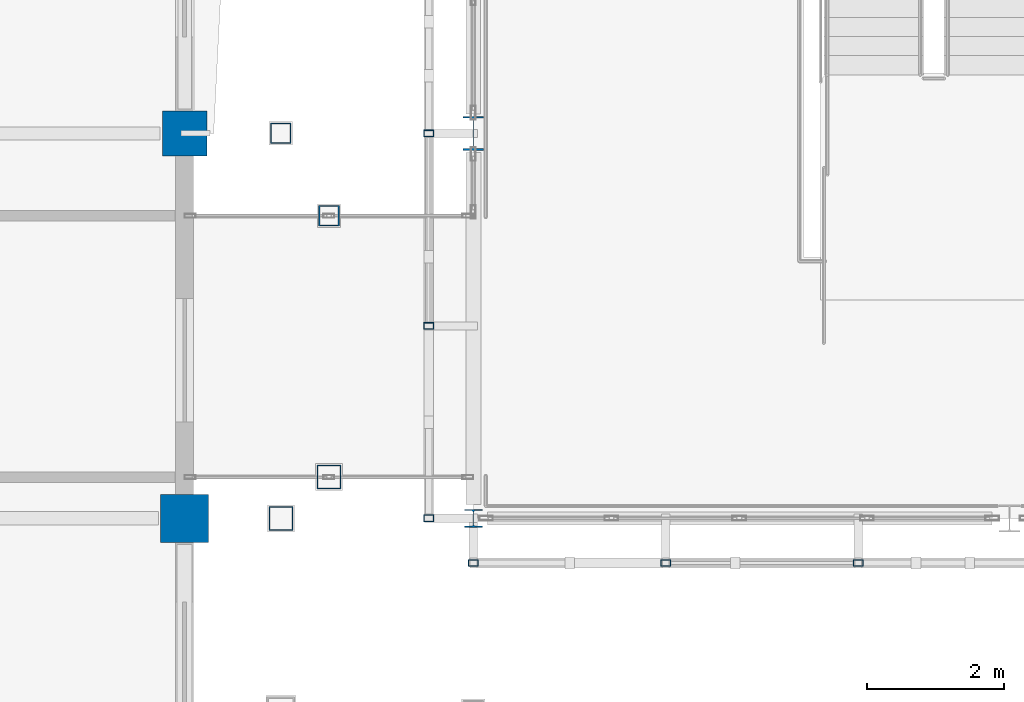
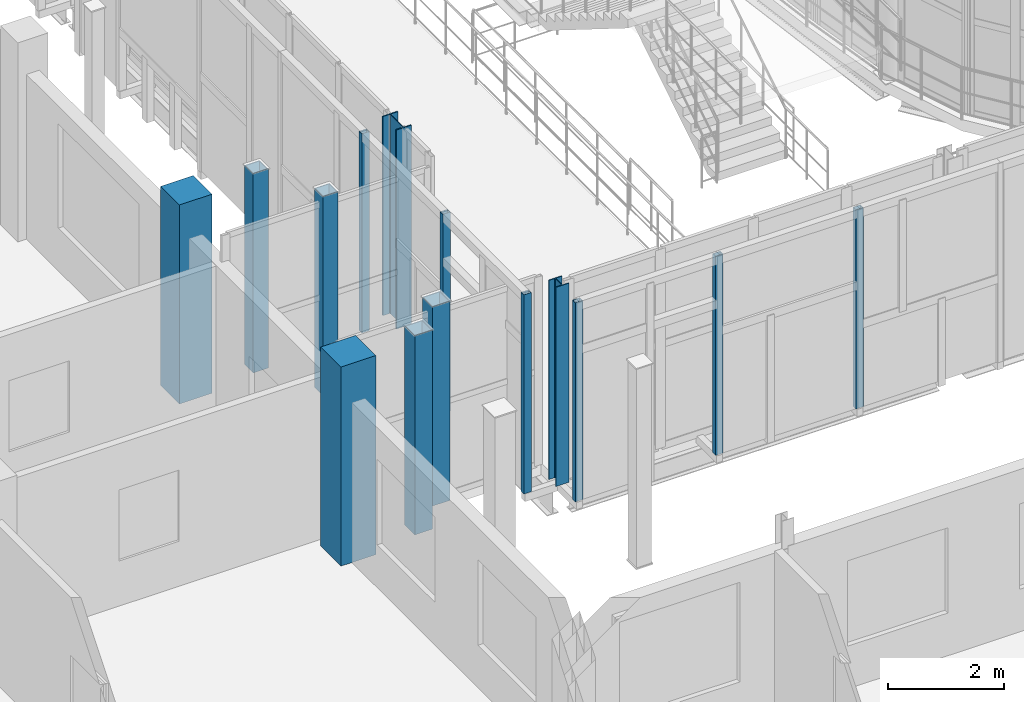
# One storey, part 3 of 121: 14 columns.
"""IFC4 building model written with IfcOpenShell, lengths in metres."""

import ifcopenshell
import ifcopenshell.guid

model = None  # the IFC model being written
_history = None  # IfcOwnerHistory: only IFC2X3 demands one
_inside = {}  # id of a spatial element -> (the spatial element, [elements in it])
_under = {}  # id of a project, library or spatial element -> (it, [spatial elements below it])
_declared = {}  # id of a project -> (the project, [libraries it declares])
_typed = {}  # id of a type object -> (the type object, [elements of that type])
_made_of = {}  # id of a material, layer set ... -> (it, [elements and type objects made of it])


def new_model(schema):
    """Start an empty IFC model of exactly this schema.

    Asked for "IFC4X3", IfcOpenShell would pick the latest addendum, in which some entities
    have other attributes; the version numbers below select the first issue.
    IFC2X3 requires an IfcOwnerHistory on every rooted entity: one is made here for all.
    """
    global model, _history
    if schema == "IFC4X3":
        model = ifcopenshell.file(schema_version=(4, 3, 0, 0))
    else:
        model = ifcopenshell.file(schema=schema)
    _inside.clear()
    _under.clear()
    _declared.clear()
    _typed.clear()
    _made_of.clear()
    _history = None
    if model.schema == "IFC2X3":
        org = make("IfcOrganization", Name="unknown")
        user = make(
            "IfcPersonAndOrganization",
            ThePerson=make("IfcPerson", FamilyName="unknown"),
            TheOrganization=org,
        )
        app = make(
            "IfcApplication",
            ApplicationDeveloper=org,
            Version="unknown",
            ApplicationFullName="unknown",
            ApplicationIdentifier="unknown",
        )
        _history = make(
            "IfcOwnerHistory",
            OwningUser=user,
            OwningApplication=app,
            ChangeAction="ADDED",
            CreationDate=0,
        )
    return model


def make(cls, **values):
    """One entity of the class cls with the attributes given. An attribute that is None is left unset."""
    return model.create_entity(
        cls, **{name: value for name, value in values.items() if value is not None}
    )


def rooted(cls, **values):
    """An entity with a GlobalId (a new one), such as an element, a storey or a relation."""
    return make(cls, GlobalId=ifcopenshell.guid.new(), OwnerHistory=_history, **values)


def si_unit(unit_type, name, prefix=None):
    """IfcSIUnit, for example si_unit("LENGTHUNIT", "METRE", prefix="MILLI")."""
    return make("IfcSIUnit", UnitType=unit_type, Prefix=prefix, Name=name)


def assignment(units):
    """IfcUnitAssignment: the units of a project."""
    return None if units is None else make("IfcUnitAssignment", Units=units)


def point(xyz):
    """IfcCartesianPoint."""
    return None if xyz is None else make("IfcCartesianPoint", Coordinates=xyz)


def direction(xyz):
    """IfcDirection."""
    return None if xyz is None else make("IfcDirection", DirectionRatios=xyz)


def frame(location, z_axis=None, x_axis=None):
    """IfcAxis2Placement3D, a coordinate frame: its origin and axes. An axis left out is left unset."""
    return make(
        "IfcAxis2Placement3D",
        Location=point(location),
        Axis=direction(z_axis),
        RefDirection=direction(x_axis),
    )


def frame_2d(location, x_axis=None):
    """IfcAxis2Placement2D, a coordinate frame in the plane: its origin and x axis."""
    return make(
        "IfcAxis2Placement2D", Location=point(location), RefDirection=direction(x_axis)
    )


def origin():
    """The frame at (0, 0, 0) with its axes left unset."""
    return frame((0.0, 0.0, 0.0))


def origin_2d():
    """The frame at (0, 0) in the plane with its x axis left unset."""
    return frame_2d((0.0, 0.0))


def place(relative_to, where):
    """IfcLocalPlacement: puts the frame where relative to a parent placement (None: the world)."""
    return make(
        "IfcLocalPlacement", PlacementRelTo=relative_to, RelativePlacement=where
    )


def context(
    kind, dimensions, precision=None, world=None, true_north=None, identifier=None
):
    """IfcGeometricRepresentationContext, for example the 3D "Model" context."""
    return make(
        "IfcGeometricRepresentationContext",
        ContextIdentifier=identifier,
        ContextType=kind,
        CoordinateSpaceDimension=dimensions,
        Precision=precision,
        WorldCoordinateSystem=world,
        TrueNorth=true_north,
    )


def subcontext(parent, identifier, kind, view, scale=None):
    """IfcGeometricRepresentationSubContext, for example "Body" below "Model"."""
    return make(
        "IfcGeometricRepresentationSubContext",
        ContextIdentifier=identifier,
        ContextType=kind,
        ParentContext=parent,
        TargetScale=scale,
        TargetView=view,
    )


def project(units=None, contexts=None):
    """IfcProject with its units and contexts."""
    return rooted(
        "IfcProject",
        Name="project",
        RepresentationContexts=contexts,
        UnitsInContext=assignment(units),
    )


def spatial(cls, under=None, at=None, **own):
    """A site, building, storey or space (cls), placed at a placement, below another one or the project."""
    s = rooted(cls, ObjectPlacement=at, **own)
    if under is not None:
        _under.setdefault(under.id(), (under, []))[1].append(s)
    return s


def profile(cls, at=None, kind="AREA", **sizes):
    """A parametric profile (cls). Its sizes go by their IFC names, for example OverallWidth=200.0."""
    return make(cls, ProfileType=kind, Position=at, **sizes)


def rectangle(**sizes):
    """IfcRectangleProfileDef."""
    return profile("IfcRectangleProfileDef", **sizes)


def hollow_rectangle(**sizes):
    """IfcRectangleHollowProfileDef."""
    return profile("IfcRectangleHollowProfileDef", **sizes)


def i_section(**sizes):
    """IfcIShapeProfileDef."""
    return profile("IfcIShapeProfileDef", **sizes)


def extrude(swept, where, along, depth):
    """IfcExtrudedAreaSolid: the profile swept, set in the frame where, extruded along a direction by depth."""
    return make(
        "IfcExtrudedAreaSolid",
        SweptArea=swept,
        Position=where,
        ExtrudedDirection=direction(along),
        Depth=depth,
    )


def shape(context_of_items, identifier, shape_type, items):
    """IfcShapeRepresentation: the items that make up one representation, for example the "Body"."""
    return make(
        "IfcShapeRepresentation",
        ContextOfItems=context_of_items,
        RepresentationIdentifier=identifier,
        RepresentationType=shape_type,
        Items=items,
    )


def material(Name=None, Category=None):
    """IfcMaterial."""
    return make("IfcMaterial", Name=Name, Category=Category)


def material_profile(
    of_material, cross_section, Name=None, Category=None, Priority=None
):
    """IfcMaterialProfile: a cross section and its material."""
    return make(
        "IfcMaterialProfile",
        Name=Name,
        Material=of_material,
        Profile=cross_section,
        Priority=Priority,
        Category=Category,
    )


def profile_set(profiles, Name=None, composite=None):
    """IfcMaterialProfileSet."""
    return make(
        "IfcMaterialProfileSet",
        Name=Name,
        MaterialProfiles=profiles,
        CompositeProfile=composite,
    )


def made_of(thing, what):
    """Note that an element or type object is made of a material, layer set ...; save() writes the relation."""
    if what is not None:
        _made_of.setdefault(what.id(), (what, []))[1].append(thing)
    return thing


def type_object(cls, material=None, **own):
    """A type object (cls), such as IfcWallType, which elements share."""
    return made_of(rooted(cls, **own), material)


def element(
    cls,
    number,
    at=None,
    inside=None,
    cuts=None,
    type_object=None,
    material=None,
    context=None,
    identifier="Body",
    shape_type=None,
    held_by="IfcProductDefinitionShape",
    body=None,
    shapes=None,
    **own,
):
    """One element of the class cls, such as IfcWall. Its Tag is "e" and its number.

    at: its placement. inside: the storey or other place that contains it. cuts: it is an
    opening in that element (IfcRelVoidsElement). A single representation is given by context,
    identifier, shape_type and body (its items); several are given by shapes. held_by: the class
    of the entity that holds the representations. save() writes the other relations.
    """
    e = rooted(cls, Tag="e%d" % number, ObjectPlacement=at, **own)
    if body is not None:
        shapes = [shape(context, identifier, shape_type, body)]
    if shapes is not None:
        e.Representation = make(held_by, Representations=shapes)
    if inside is not None:
        _inside.setdefault(inside.id(), (inside, []))[1].append(e)
    if cuts is not None:
        rooted(
            "IfcRelVoidsElement", RelatingBuildingElement=cuts, RelatedOpeningElement=e
        )
    if type_object is not None:
        _typed.setdefault(type_object.id(), (type_object, []))[1].append(e)
    return made_of(e, material)


def aggregate(whole, parts):
    """IfcRelAggregates: a whole, such as a stair, and the parts it consists of."""
    return rooted("IfcRelAggregates", RelatingObject=whole, RelatedObjects=parts)


def save(model, path):
    """Write the relations noted so far, then the file.

    IfcRelAggregates (storeys below a building ...), IfcRelContainedInSpatialStructure (elements
    in a storey), IfcRelDefinesByType, IfcRelAssociatesMaterial and IfcRelDeclares: one each for
    every whole, place, type object, material and project.
    """
    for whole, parts in _under.values():
        aggregate(whole, parts)
    for where, things in _inside.values():
        rooted(
            "IfcRelContainedInSpatialStructure",
            RelatedElements=things,
            RelatingStructure=where,
        )
    for kind, things in _typed.values():
        rooted("IfcRelDefinesByType", RelatedObjects=things, RelatingType=kind)
    for what, things in _made_of.values():
        rooted("IfcRelAssociatesMaterial", RelatedObjects=things, RelatingMaterial=what)
    for by, libraries in _declared.values():
        rooted("IfcRelDeclares", RelatingContext=by, RelatedDefinitions=libraries)
    model.write(path)


model = new_model("IFC4")

# Units and contexts
model_context = context("Model", 3, precision=1e-05, world=origin(), true_north=direction((0.0, 1.0)))
body_context = subcontext(model_context, "Body", "Model", "MODEL_VIEW")
ifc_project = project(units=[si_unit("LENGTHUNIT", "METRE"), si_unit("AREAUNIT", "SQUARE_METRE"), si_unit("VOLUMEUNIT", "CUBIC_METRE"), si_unit("PLANEANGLEUNIT", "RADIAN"), si_unit("MASSUNIT", "GRAM", prefix="KILO")], contexts=[model_context])

# Site, building, storey
site_placement = place(None, origin())
site = spatial("IfcSite", under=ifc_project, at=site_placement, CompositionType="ELEMENT")
building_placement = place(site_placement, origin())
building = spatial("IfcBuilding", under=site, at=building_placement, Name="Vinh Khe Railworks Police Headquarters", CompositionType="ELEMENT")
storey_placement = place(building_placement, frame((0.0, 0.0, 4.800048828125)))
storey = spatial("IfcBuildingStorey", under=building, at=storey_placement, Name="L01", CompositionType="ELEMENT", Elevation=4.800048828125)

# Columns
ifc_material_1 = material(Name="Steel S355JR", Category="steel")
ifc_material_profile_1 = material_profile(ifc_material_1, hollow_rectangle(XDim=0.14990234375, YDim=0.10009765625, WallThickness=0.008056640625, at=origin_2d()), Name="RHS 150x100x8")
ifc_profile_set_1 = profile_set([ifc_material_profile_1], Name="Steel S355JR")
column_type_1 = type_object("IfcColumnType", Name="COL-QUILT-POST", PredefinedType="COLUMN", material=ifc_profile_set_1)
for number, where, z_axis, x_axis, name in (
    (1, (26.39990234375, 24.550048828125, 0.0), (0.0, 0.0, 1.0), (1.0, 0.0, 0.0), "Patchwork Quilt Carrier Column S-1 (L01)"),
    (2, (29.199951171875, 24.550048828125, 0.0), (0.0, 0.0, 1.0), (1.0, 0.0, 0.0), "Patchwork Quilt Carrier Column S-2 (L01)"),
    (3, (32.0, 24.550048828125, 0.0), (0.0, 0.0, 1.0), (1.0, 0.0, 0.0), "Patchwork Quilt Carrier Column S-3 (L01)"),
    (4, (25.75, 25.199951171875, 0.0), (0.0, 0.0, 1.0), (1.0, 0.0, 0.0), "Patchwork Quilt Carrier Column W-1 (L01)"),
    (5, (25.75, 28.0, 0.0), (0.0, 0.0, 1.0), (1.0, 0.0, 0.0), "Patchwork Quilt Carrier Column W-2 (L01)"),
    (6, (25.75, 30.800048828125, 0.0), (0.0, 0.0, 1.0), (1.0, 0.0, 0.0), "Patchwork Quilt Carrier Column W-3 (L01)"),
):
    element("IfcColumn", number, at=place(storey_placement, frame(where, z_axis=z_axis, x_axis=x_axis)), inside=storey, type_object=column_type_1, Name=name, PredefinedType="COLUMN", context=body_context, shape_type="SweptSolid", body=[
        extrude(hollow_rectangle(XDim=0.14990234375, YDim=0.10009765625, WallThickness=0.008056640625, at=origin_2d()), origin(), (0.0, 0.0, 1.0), 4.199951171875),
    ])
ifc_material_2 = material(Name="Concrete C40/50 (B40)", Category="concrete")
ifc_material_profile_2 = material_profile(ifc_material_2, rectangle(XDim=0.64990234375, YDim=0.64990234375, at=origin_2d()), Name="RC 650x650")
ifc_profile_set_2 = profile_set([ifc_material_profile_2], Name="Concrete C40/50 (B40)")
column_type_2 = type_object("IfcColumnType", Name="RC Column RC 650x650", PredefinedType="COLUMN", material=ifc_profile_set_2)
column_1_placement = place(storey_placement, frame((22.199951171875, 30.800048828125, 0.0), z_axis=(0.0, 0.0, 1.0), x_axis=(1.0, 0.0, 0.0)))
element("IfcColumn", 7, at=column_1_placement, inside=storey, type_object=column_type_2, Name="Column COL-L01-CC-04-0528", PredefinedType="COLUMN", context=body_context, shape_type="SweptSolid", body=[
    extrude(rectangle(XDim=0.64990234375, YDim=0.64990234375, at=origin_2d()), origin(), (0.0, 0.0, 1.0), 4.199951171875),
])
ifc_material_profile_3 = material_profile(ifc_material_2, rectangle(XDim=0.699951171875, YDim=0.699951171875, at=origin_2d()), Name="RC 700x700")
ifc_profile_set_3 = profile_set([ifc_material_profile_3], Name="Concrete C40/50 (B40)")
column_type_3 = type_object("IfcColumnType", Name="RC Column RC 700x700", PredefinedType="COLUMN", material=ifc_profile_set_3)
column_2_placement = place(storey_placement, frame((22.199951171875, 25.199951171875, 0.0), z_axis=(0.0, 0.0, 1.0), x_axis=(1.0, 0.0, 0.0)))
element("IfcColumn", 8, at=column_2_placement, inside=storey, type_object=column_type_3, Name="Column COL-L01-CC-03-0519", PredefinedType="COLUMN", context=body_context, shape_type="SweptSolid", body=[
    extrude(rectangle(XDim=0.699951171875, YDim=0.699951171875, at=origin_2d()), origin(), (0.0, 0.0, 1.0), 4.199951171875),
])
ifc_material_profile_4 = material_profile(ifc_material_1, i_section(OverallWidth=0.300048828125, OverallDepth=0.489990234375, WebThickness=0.011962890625, FlangeThickness=0.02294921875, FilletRadius=0.027099609375, at=origin_2d()), Name="HEA 500")
ifc_profile_set_4 = profile_set([ifc_material_profile_4], Name="Steel S355JR")
column_type_4 = type_object("IfcColumnType", Name="Steel Column HEA 500", PredefinedType="COLUMN", material=ifc_profile_set_4)
column_3_placement = place(storey_placement, frame((26.39990234375, 30.800048828125, 0.0), z_axis=(0.0, 0.0, 1.0), x_axis=(1.0, 0.0, 0.0)))
element("IfcColumn", 9, at=column_3_placement, inside=storey, type_object=column_type_4, Name="Column COL-L01-SC-13-0729", PredefinedType="COLUMN", context=body_context, shape_type="SweptSolid", body=[
    extrude(i_section(OverallWidth=0.300048828125, OverallDepth=0.489990234375, WebThickness=0.011962890625, FlangeThickness=0.02294921875, FilletRadius=0.027099609375, at=origin_2d()), origin(), (0.0, 0.0, 1.0), 4.199951171875),
])
ifc_material_profile_5 = material_profile(ifc_material_1, i_section(OverallWidth=0.260009765625, OverallDepth=0.260009765625, WebThickness=0.010009765625, FlangeThickness=0.017578125, FilletRadius=0.02392578125, at=origin_2d()), Name="HEB 260")
ifc_profile_set_5 = profile_set([ifc_material_profile_5], Name="Steel S355JR")
column_type_5 = type_object("IfcColumnType", Name="Steel Column HEB 260", PredefinedType="COLUMN", material=ifc_profile_set_5)
column_4_placement = place(storey_placement, frame((26.39990234375, 25.199951171875, 0.0), z_axis=(0.0, 0.0, 1.0), x_axis=(1.0, 0.0, 0.0)))
element("IfcColumn", 10, at=column_4_placement, inside=storey, type_object=column_type_5, Name="Column COL-L01-SC-12-0724", PredefinedType="COLUMN", context=body_context, shape_type="SweptSolid", body=[
    extrude(i_section(OverallWidth=0.260009765625, OverallDepth=0.260009765625, WebThickness=0.010009765625, FlangeThickness=0.017578125, FilletRadius=0.02392578125, at=origin_2d()), origin(), (0.0, 0.0, 1.0), 4.199951171875),
])
ifc_material_profile_6 = material_profile(ifc_material_1, hollow_rectangle(XDim=0.300048828125, YDim=0.300048828125, WallThickness=0.01611328125, at=origin_2d()), Name="SHS 300x300x16")
ifc_profile_set_6 = profile_set([ifc_material_profile_6], Name="Steel S355JR")
column_type_6 = type_object("IfcColumnType", Name="Steel Column SHS 300x300x16", PredefinedType="COLUMN", material=ifc_profile_set_6)
for number, where, z_axis, x_axis, name in (
    (11, (23.60009765625, 30.800048828125, 0.0), (0.0, 0.0, 1.0), (1.0, 0.0, 0.0), "Column COL-L01-SC-23-0667"),
    (12, (24.300048828125, 29.60009765625, 0.0), (0.0, 0.0, 1.0), (1.0, 0.0, 0.0), "Column COL-L01-SC-23-0706"),
):
    element("IfcColumn", number, at=place(storey_placement, frame(where, z_axis=z_axis, x_axis=x_axis)), inside=storey, type_object=column_type_6, Name=name, PredefinedType="COLUMN", context=body_context, shape_type="SweptSolid", body=[
        extrude(hollow_rectangle(XDim=0.300048828125, YDim=0.300048828125, WallThickness=0.01611328125, at=origin_2d()), origin(), (0.0, 0.0, 1.0), 4.199951171875),
    ])
ifc_material_profile_7 = material_profile(ifc_material_1, hollow_rectangle(XDim=0.35009765625, YDim=0.35009765625, WallThickness=0.01611328125, at=origin_2d()), Name="SHS 350x350x16")
ifc_profile_set_7 = profile_set([ifc_material_profile_7], Name="Steel S355JR")
column_type_7 = type_object("IfcColumnType", Name="Steel Column SHS 350x350x16", PredefinedType="COLUMN", material=ifc_profile_set_7)
for number, where, z_axis, x_axis, name in (
    (13, (23.60009765625, 25.199951171875, 0.0), (0.0, 0.0, 1.0), (1.0, 0.0, 0.0), "Column COL-L01-SC-22-0662"),
    (14, (24.300048828125, 25.800048828125, 0.0), (0.0, 0.0, 1.0), (1.0, 0.0, 0.0), "Column COL-L01-SC-22-0702"),
):
    element("IfcColumn", number, at=place(storey_placement, frame(where, z_axis=z_axis, x_axis=x_axis)), inside=storey, type_object=column_type_7, Name=name, PredefinedType="COLUMN", context=body_context, shape_type="SweptSolid", body=[
        extrude(hollow_rectangle(XDim=0.35009765625, YDim=0.35009765625, WallThickness=0.01611328125, at=origin_2d()), origin(), (0.0, 0.0, 1.0), 4.199951171875),
    ])

save(model, "model.ifc")
